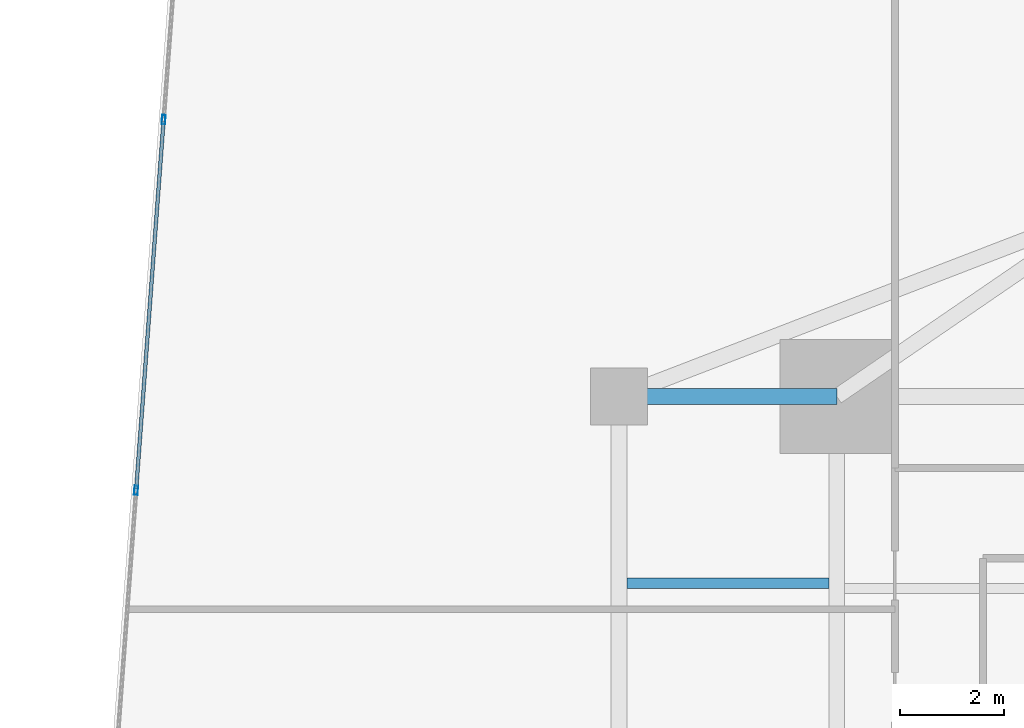
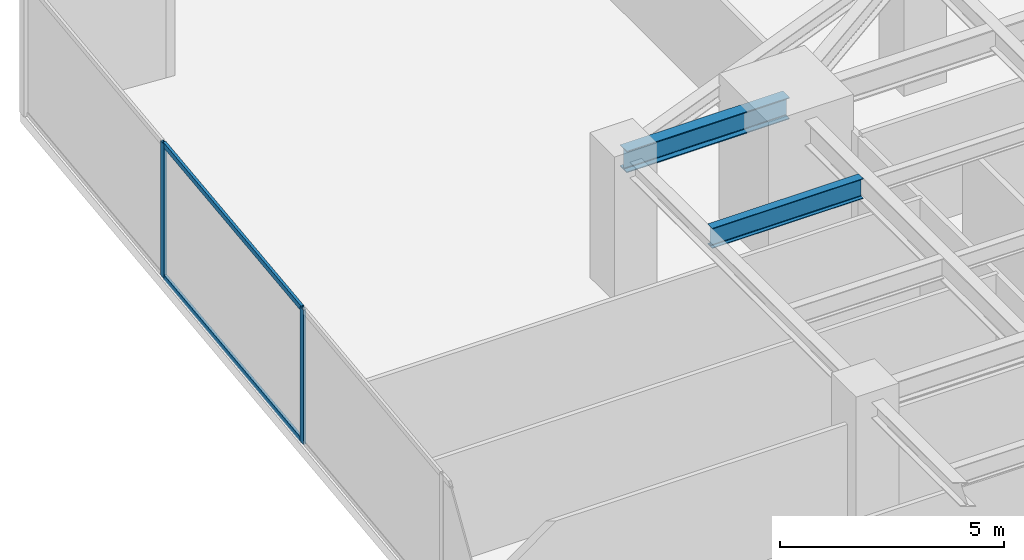
# One storey, part 17 of 30: 4 members, 2 beams, 1 element without a shape of its own.
"""IFC4 building model written with IfcOpenShell, lengths in metres."""

from ifc_helpers import new_model, si_unit, direction, frame, origin, origin_2d, place, context, subcontext, project, spatial, hollow_rectangle, i_section, extrude, source, transform, mapped, material, material_profile, profile_set, type_object, type_shapes, element, aggregate, save


model = new_model("IFC4")

# Units and contexts
model_context = context("Model", 3, precision=1e-05, world=origin(), true_north=direction((0.0, 1.0)))
body_context = subcontext(model_context, "Body", "Model", "MODEL_VIEW")
ifc_project = project(units=[si_unit("LENGTHUNIT", "METRE"), si_unit("AREAUNIT", "SQUARE_METRE"), si_unit("VOLUMEUNIT", "CUBIC_METRE"), si_unit("PLANEANGLEUNIT", "RADIAN"), si_unit("MASSUNIT", "GRAM", prefix="KILO")], contexts=[model_context])

# Site, building, storey
site_placement = place(None, origin())
site = spatial("IfcSite", under=ifc_project, at=site_placement, CompositionType="ELEMENT")
building_placement = place(site_placement, origin())
building = spatial("IfcBuilding", under=site, at=building_placement, Name="Krantzveldt Concourse Tower", CompositionType="ELEMENT")
storey_placement = place(building_placement, frame((0.0, 0.0, 48.699951171875)))
storey = spatial("IfcBuildingStorey", under=building, at=storey_placement, Name="L11", CompositionType="ELEMENT", Elevation=48.699951171875)

# Beams
ifc_material_1 = material(Name="Steel S355JR", Category="steel")
ifc_material_profile_1 = material_profile(ifc_material_1, i_section(OverallWidth=0.300048828125, OverallDepth=0.590087890625, WebThickness=0.012939453125, FlangeThickness=0.02490234375, FilletRadius=0.027099609375, at=origin_2d()), Name="Steel S355JR", Category="steel")
ifc_profile_set_1 = profile_set([ifc_material_profile_1], Name="Steel S355JR - HEA 600")
beam_type_1 = type_object("IfcBeamType", Name="BM-B-HEA600", PredefinedType="BEAM", material=ifc_profile_set_1)
shared_shape_1 = source(origin(), body_context, "Body", "SweptSolid", [
    extrude(i_section(OverallWidth=0.300048828125, OverallDepth=0.590087890625, WebThickness=0.012939453125, FlangeThickness=0.02490234375, FilletRadius=0.027099609375, at=origin_2d()), origin(), (0.0, 0.0, 1.0), 4.199951171875),
])
type_shapes(beam_type_1, [shared_shape_1])
beam_1_placement = place(storey_placement, frame((21.0, 37.5, 3.375), z_axis=(1.0, 0.0, 0.0), x_axis=(0.0, 1.0, 0.0)))
element("IfcBeam", 1, at=beam_1_placement, inside=storey, type_object=beam_type_1, Name="L11 Tower Girder BR-RL3", PredefinedType="BEAM", context=body_context, shape_type="MappedRepresentation", body=[
    mapped(shared_shape_1, transform((0.0, 0.0, 0.0), x_axis=(1.0, 0.0, 0.0), y_axis=(0.0, 1.0, 0.0), z_axis=(0.0, 0.0, 1.0), scale=1.0)),
])
ifc_material_profile_2 = material_profile(ifc_material_1, i_section(OverallWidth=0.2099609375, OverallDepth=0.550048828125, WebThickness=0.010986328125, FlangeThickness=0.01708984375, FilletRadius=0.02392578125, at=origin_2d()), Name="Steel S355JR", Category="steel")
ifc_profile_set_2 = profile_set([ifc_material_profile_2], Name="Steel S355JR - IPE 550")
beam_type_2 = type_object("IfcBeamType", Name="BM-J-IPE550", PredefinedType="JOIST", material=ifc_profile_set_2)
shared_shape_2 = source(origin(), body_context, "Body", "SweptSolid", [
    extrude(i_section(OverallWidth=0.2099609375, OverallDepth=0.550048828125, WebThickness=0.010986328125, FlangeThickness=0.01708984375, FilletRadius=0.02392578125, at=origin_2d()), origin(), (0.0, 0.0, 1.0), 3.900146484375),
])
type_shapes(beam_type_2, [shared_shape_2])
beam_2_placement = place(storey_placement, frame((21.14990234375, 33.89990234375, 3.39501953125), z_axis=(1.0, 0.0, 0.0), x_axis=(0.0, 1.0, 0.0)))
element("IfcBeam", 2, at=beam_2_placement, inside=storey, type_object=beam_type_2, Name="L11 Secondary Floor Joist JW-4", PredefinedType="JOIST", context=body_context, shape_type="MappedRepresentation", body=[
    mapped(shared_shape_2, transform((0.0, 0.0, 0.0), x_axis=(1.0, 0.0, 0.0), y_axis=(0.0, 1.0, 0.0), z_axis=(0.0, 0.0, 1.0), scale=1.0)),
])

# Curtain wall, members
ifc_material_2 = material(Name="Anodised aluminium 6063-T6", Category="aluminium")
curtain_wall_type = type_object("IfcCurtainWallType", Name="CW2", PredefinedType="USERDEFINED", material=ifc_material_2)
curtain_wall_placement = place(storey_placement, origin())
curtain_wall = element("IfcCurtainWall", 3, at=curtain_wall_placement, inside=storey, type_object=curtain_wall_type, Name="CW-L11-F01", ObjectType="UNITISED CURTAIN WALL", PredefinedType="USERDEFINED")
ifc_material_profile_3 = material_profile(ifc_material_2, hollow_rectangle(XDim=0.070068359375, YDim=0.179931640625, WallThickness=0.0048828125, at=origin_2d()), Name="Anodised aluminium 6063-T6", Category="aluminium")
ifc_profile_set_3 = profile_set([ifc_material_profile_3], Name="Anodised aluminium 6063-T6 - ALU-MULL 180x70x5")
member_type_1 = type_object("IfcMemberType", Name="CW-MUL-180", PredefinedType="MULLION", material=ifc_profile_set_3)
shared_shape_3 = source(origin(), body_context, "Body", "SweptSolid", [
    extrude(hollow_rectangle(XDim=0.070068359375, YDim=0.179931640625, WallThickness=0.0048828125, at=origin_2d()), origin(), (0.0, 0.0, 1.0), 3.670166015625),
])
type_shapes(member_type_1, [shared_shape_3])
member_1_placement = place(storey_placement, frame((12.220703125, 42.83984375, 0.0), z_axis=(0.0, 0.0, 1.0), x_axis=(0.997250176902, -0.07410860051, 0.0)))
member_1 = element("IfcMember", 4, at=member_1_placement, type_object=member_type_1, Name="CW-Z12 mullion 2", PredefinedType="MULLION", context=body_context, shape_type="MappedRepresentation", body=[
    mapped(shared_shape_3, transform((0.0, 0.0, 0.0), x_axis=(1.0, 0.0, 0.0), y_axis=(0.0, 1.0, 0.0), z_axis=(0.0, 0.0, 1.0), scale=1.0)),
])
member_2_placement = place(storey_placement, frame((11.689697265625, 35.693115234375, 0.0), z_axis=(0.0, 0.0, 1.0), x_axis=(0.997250176902, -0.07410860051, 0.0)))
member_2 = element("IfcMember", 5, at=member_2_placement, type_object=member_type_1, Name="CW-Z12 mullion 3", PredefinedType="MULLION", context=body_context, shape_type="MappedRepresentation", body=[
    mapped(shared_shape_3, transform((0.0, 0.0, 0.0), x_axis=(1.0, 0.0, 0.0), y_axis=(0.0, 1.0, 0.0), z_axis=(0.0, 0.0, 1.0), scale=1.0)),
])
ifc_material_profile_4 = material_profile(ifc_material_2, hollow_rectangle(XDim=0.070068359375, YDim=0.139892578125, WallThickness=0.0048828125, at=origin_2d()), Name="Anodised aluminium 6063-T6", Category="aluminium")
ifc_profile_set_4 = profile_set([ifc_material_profile_4], Name="Anodised aluminium 6063-T6 - ALU-TRAN 140x70x5")
member_type_2 = type_object("IfcMemberType", Name="CW-TRN-150", PredefinedType="USERDEFINED", material=ifc_profile_set_4)
shared_shape_4 = source(origin(), body_context, "Body", "SweptSolid", [
    extrude(hollow_rectangle(XDim=0.070068359375, YDim=0.139892578125, WallThickness=0.0048828125, at=origin_2d()), origin(), (0.0, 0.0, 1.0), 7.096923828125),
])
type_shapes(member_type_2, [shared_shape_4])
member_3_placement = place(storey_placement, frame((12.218017578125, 42.80517578125, 0.03515625), z_axis=(-0.074099772125, -0.997250832926, 0.0), x_axis=(0.997250832926, -0.074099772125, 0.0)))
member_3 = element("IfcMember", 6, at=member_3_placement, type_object=member_type_2, Name="CW-Z12 transom 2.1", ObjectType="TRANSOM", PredefinedType="USERDEFINED", context=body_context, shape_type="MappedRepresentation", body=[
    mapped(shared_shape_4, transform((0.0, 0.0, 0.0), x_axis=(1.0, 0.0, 0.0), y_axis=(0.0, 1.0, 0.0), z_axis=(0.0, 0.0, 1.0), scale=1.0)),
])
member_4_placement = place(storey_placement, frame((12.218017578125, 42.80517578125, 3.635009765625), z_axis=(-0.074099772125, -0.997250832926, 0.0), x_axis=(0.997250832926, -0.074099772125, 0.0)))
member_4 = element("IfcMember", 7, at=member_4_placement, type_object=member_type_2, Name="CW-Z12 transom 2.2", ObjectType="TRANSOM", PredefinedType="USERDEFINED", context=body_context, shape_type="MappedRepresentation", body=[
    mapped(shared_shape_4, transform((0.0, 0.0, 0.0), x_axis=(1.0, 0.0, 0.0), y_axis=(0.0, 1.0, 0.0), z_axis=(0.0, 0.0, 1.0), scale=1.0)),
])
aggregate(curtain_wall, [member_1, member_2, member_3, member_4])

save(model, "model.ifc")
